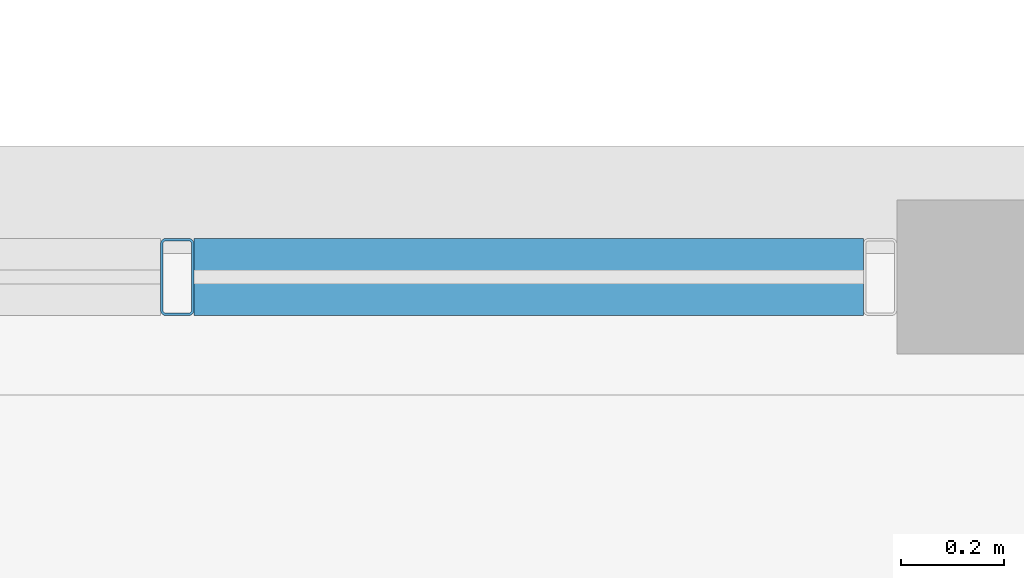
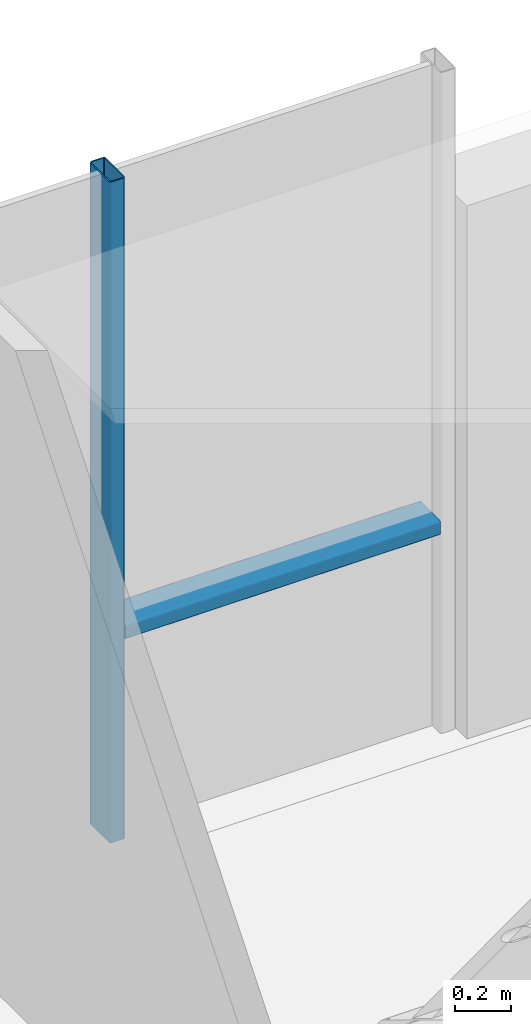
# One storey, part 13 of 38: 2 members, 1 element without a shape of its own.
"""IFC4 building model written with IfcOpenShell, lengths in metres."""

from ifc_helpers import new_model, si_unit, direction, frame, origin, origin_2d, place, context, subcontext, project, spatial, hollow_rectangle, extrude, material, layer, layer_set, material_profile, profile_set, type_object, element, aggregate, save


model = new_model("IFC4")

# Units and contexts
model_context = context("Model", 3, precision=1e-05, world=origin(), true_north=direction((0.0, 1.0)))
body_context = subcontext(model_context, "Body", "Model", "MODEL_VIEW")
ifc_project = project(units=[si_unit("LENGTHUNIT", "METRE"), si_unit("AREAUNIT", "SQUARE_METRE"), si_unit("VOLUMEUNIT", "CUBIC_METRE"), si_unit("PLANEANGLEUNIT", "RADIAN"), si_unit("MASSUNIT", "GRAM", prefix="KILO")], contexts=[model_context])

# Site, building, storey
site_placement = place(None, origin())
site = spatial("IfcSite", under=ifc_project, at=site_placement, CompositionType="ELEMENT")
building_placement = place(site_placement, origin())
building = spatial("IfcBuilding", under=site, at=building_placement, Name="Brevholm Reach", CompositionType="ELEMENT")
storey_placement = place(building_placement, frame((0.0, 0.0, 186.300048828125)))
storey = spatial("IfcBuildingStorey", under=building, at=storey_placement, Name="L56", CompositionType="ELEMENT", Elevation=186.300048828125)

# Curtain wall, members
ifc_material_1 = material(Name="Dark Anodised Aluminium 6063-T6 and Solar-Control Glass", Category="aluminium")
ifc_layer = layer(ifc_material_1, 0.14990234375)
ifc_layer_set = layer_set([ifc_layer], Name="Dark Anodised Aluminium 6063-T6 and Solar-Control Glass")
curtain_wall_type = type_object("IfcCurtainWallType", Name="CW-01", PredefinedType="NOTDEFINED", material=ifc_layer_set)
curtain_wall_placement = place(storey_placement, origin())
curtain_wall = element("IfcCurtainWall", 1, at=curtain_wall_placement, inside=storey, type_object=curtain_wall_type, Name="L56 Curtain Wall CW-01", PredefinedType="NOTDEFINED")
ifc_material_2 = material(Name="Dark Anodised Aluminium 6063-T6", Category="aluminium")
ifc_material_profile_1 = material_profile(ifc_material_2, hollow_rectangle(XDim=0.06494140625, YDim=0.14990234375, WallThickness=0.0048828125, InnerFilletRadius=0.0048828125, OuterFilletRadius=0.010009765625, at=origin_2d()), Name="RHS 150x65x5")
ifc_profile_set_1 = profile_set([ifc_material_profile_1], Name="Dark Anodised Aluminium 6063-T6")
member_type_1 = type_object("IfcMemberType", Name="CWM-150", PredefinedType="MULLION", material=ifc_profile_set_1)
member_1_placement = place(storey_placement, frame((30.800048828125, 26.35009765625, 0.0), z_axis=(0.0, 0.0, 1.0), x_axis=(1.0, 0.0, 0.0)))
member_1 = element("IfcMember", 2, at=member_1_placement, type_object=member_type_1, Name="CM-150 Mullion 2", PredefinedType="MULLION", context=body_context, shape_type="SweptSolid", body=[
    extrude(hollow_rectangle(XDim=0.06494140625, YDim=0.14990234375, WallThickness=0.0048828125, InnerFilletRadius=0.0048828125, OuterFilletRadius=0.010009765625, at=origin_2d()), origin(), (0.0, 0.0, 1.0), 2.889892578125),
])
ifc_material_3 = material(Name="Dark Anodised Aluminium 6063-T6", Category="aluminium")
ifc_material_profile_2 = material_profile(ifc_material_3, hollow_rectangle(XDim=0.06494140625, YDim=0.14990234375, WallThickness=0.0048828125, InnerFilletRadius=0.0048828125, OuterFilletRadius=0.010009765625, at=origin_2d()), Name="RHS 150x65x5")
ifc_profile_set_2 = profile_set([ifc_material_profile_2], Name="Dark Anodised Aluminium 6063-T6")
member_type_2 = type_object("IfcMemberType", Name="CWT-150", PredefinedType="NOTDEFINED", material=ifc_profile_set_2)
member_2_placement = place(storey_placement, frame((30.83251953125, 26.35009765625, 0.89990234375), z_axis=(1.0, 0.0, 0.0), x_axis=(0.0, 0.0, 1.0)))
member_2 = element("IfcMember", 3, at=member_2_placement, type_object=member_type_2, Name="CT-150 Transom 2.1", ObjectType="TRANSOM", PredefinedType="USERDEFINED", context=body_context, shape_type="SweptSolid", body=[
    extrude(hollow_rectangle(XDim=0.06494140625, YDim=0.14990234375, WallThickness=0.0048828125, InnerFilletRadius=0.0048828125, OuterFilletRadius=0.010009765625, at=origin_2d()), origin(), (0.0, 0.0, 1.0), 1.302490234375),
])
aggregate(curtain_wall, [member_1, member_2])

save(model, "model.ifc")
